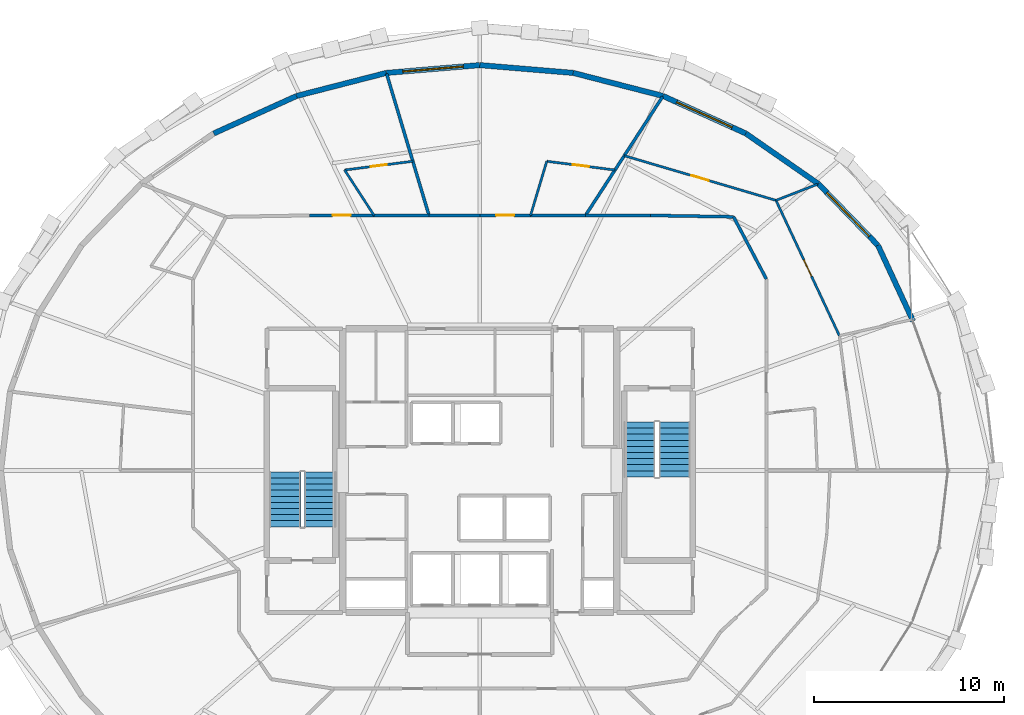
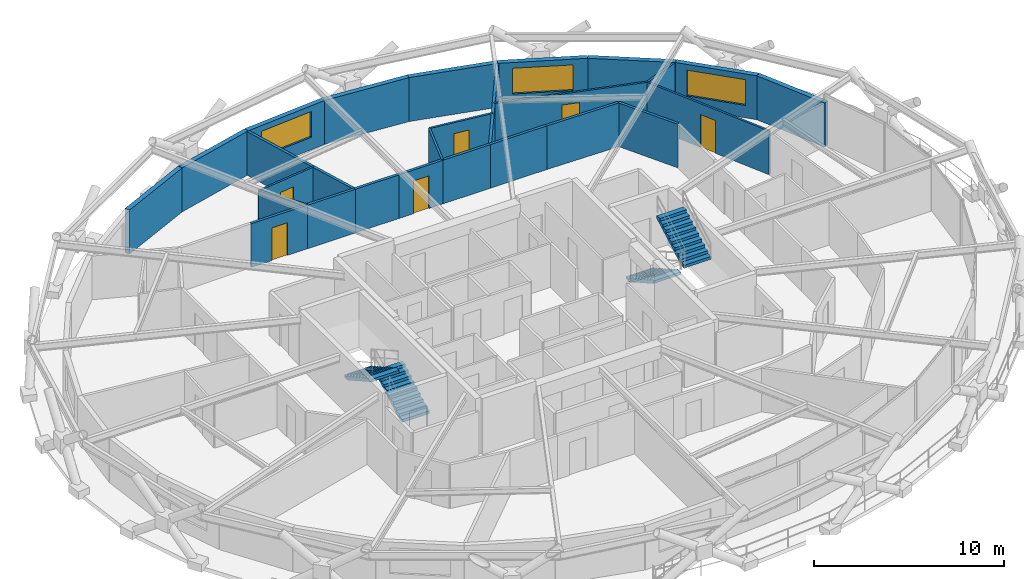
# One storey, part 15 of 16: 26 walls, 6 doors, 4 stair flights, 3 windows, 9 openings, 2 elements without a shape of their own.
"""IFC4 building model written with IfcOpenShell, lengths in metres."""

from ifc_helpers import new_model, si_unit, direction, frame, frame_2d, origin, place, context, subcontext, project, spatial, polyline, rectangle, outline, extrude, material, layer, layer_set, type_object, element, fill, aggregate, save


model = new_model("IFC4")

# Units and contexts
model_context = context("Model", 3, precision=1e-05, world=origin(), true_north=direction((0.0, 1.0)))
body_context = subcontext(model_context, "Body", "Model", "MODEL_VIEW")
ifc_project = project(units=[si_unit("LENGTHUNIT", "METRE"), si_unit("AREAUNIT", "SQUARE_METRE"), si_unit("VOLUMEUNIT", "CUBIC_METRE"), si_unit("PLANEANGLEUNIT", "RADIAN"), si_unit("MASSUNIT", "GRAM", prefix="KILO")], contexts=[model_context])

# Site, building, storey
site_placement = place(None, origin())
site = spatial("IfcSite", under=ifc_project, at=site_placement, CompositionType="ELEMENT")
building_placement = place(site_placement, origin())
building = spatial("IfcBuilding", under=site, at=building_placement, Name="Veldorina Hangang Commons", CompositionType="ELEMENT")
storey_placement = place(building_placement, frame((0.0, 0.0, 189.199951171875)))
storey = spatial("IfcBuildingStorey", under=building, at=storey_placement, Name="L49", CompositionType="ELEMENT", Elevation=189.199951171875)

# Wall
ifc_material_1 = material(Name="Stone Roman Travertine", Category="masonry")
ifc_layer_1 = layer(ifc_material_1, 0.280029296875)
ifc_layer_set_1 = layer_set([ifc_layer_1], Name="Stone Roman Travertine")
wall_type_1 = type_object("IfcWallType", Name="EW-TRAV-280", PredefinedType="STANDARD", material=ifc_layer_set_1)
wall_1_placement = place(storey_placement, frame((54.75146484375, 31.85009765625, 0.0), z_axis=(0.0, 0.0, 1.0), x_axis=(-0.420677836113, 0.907210095955, 0.0)))
element("IfcWall", 1, at=wall_1_placement, inside=storey, type_object=wall_type_1, Name="L49 travertine facade wall 02", PredefinedType="STANDARD", context=body_context, shape_type="SweptSolid", body=[
    extrude(rectangle(XDim=4.3857421875, YDim=0.280029296875, at=frame_2d((2.19287109375, 0.0))), origin(), (0.0, 0.0, 1.0), 2.820068359375),
])

# Wall, opening, window
wall_2_placement = place(storey_placement, frame((52.906494140625, 35.828857421875, 0.0), z_axis=(0.0, 0.0, 1.0), x_axis=(-0.695935353848, 0.718104437575, 0.0)))
wall_2 = element("IfcWall", 2, at=wall_2_placement, inside=storey, type_object=wall_type_1, Name="L49 travertine facade wall 03", PredefinedType="STANDARD", context=body_context, shape_type="SweptSolid", body=[
    extrude(rectangle(XDim=4.4931640625, YDim=0.280029296875, at=frame_2d((2.24658203125, 0.0))), origin(), (0.0, 0.0, 1.0), 2.820068359375),
])
opening_1_placement = place(wall_2_placement, frame((0.646484375, 0.0, 0.800048828125)))
opening_1 = element("IfcOpeningElement", 3, at=opening_1_placement, cuts=wall_2, Name="Opening W-01", PredefinedType="OPENING", context=body_context, shape_type="SweptSolid", body=[
    extrude(rectangle(XDim=3.199951171875, YDim=1.64990234375, at=frame_2d((1.60009765625, 0.824951171875))), frame((0.0, 0.14990234375, 0.0), z_axis=(0.0, -1.0, 0.0), x_axis=(1.0, 0.0, 0.0)), (0.0, 0.0, 1.0), 0.300048828125),
])
ifc_material_2 = material(Name="Glass Low-E Triple IGU", Category="glass")
window_type = type_object("IfcWindowType", Name="WIN-TWR-3200", PartitioningType="SINGLE_PANEL", PredefinedType="WINDOW", material=ifc_material_2)
window_1_placement = place(opening_1_placement, origin())
window_1 = element("IfcWindow", 4, at=window_1_placement, inside=storey, type_object=window_type, Name="L49 facade window 03", OverallHeight=1.64990234375, OverallWidth=3.199951171875, PartitioningType="SINGLE_PANEL", PredefinedType="WINDOW", context=body_context, shape_type="SweptSolid", body=[
    extrude(rectangle(XDim=3.199951171875, YDim=1.64990234375, at=frame_2d((1.60009765625, 0.824951171875))), frame((0.0, 0.030029296875, 0.0), z_axis=(0.0, -1.0, 0.0), x_axis=(1.0, 0.0, 0.0)), (0.0, 0.0, 1.0), 0.06005859375),
])
fill(opening_1, window_1)

# Wall
wall_3_placement = place(storey_placement, frame((49.779541015625, 39.055419921875, 0.0), z_axis=(0.0, 0.0, 1.0), x_axis=(-0.821202162047, 0.570637370885, 0.0)))
element("IfcWall", 5, at=wall_3_placement, inside=storey, type_object=wall_type_1, Name="L49 travertine facade wall 04", PredefinedType="STANDARD", context=body_context, shape_type="SweptSolid", body=[
    extrude(rectangle(XDim=4.639892578125, YDim=0.280029296875, at=frame_2d((2.31982421875, 0.0))), origin(), (0.0, 0.0, 1.0), 2.820068359375),
])

# Wall, opening, window
wall_4_placement = place(storey_placement, frame((45.96923828125, 41.703125, 0.0), z_axis=(0.0, 0.0, 1.0), x_axis=(-0.911004961114, 0.412395393798, 0.0)))
wall_4 = element("IfcWall", 6, at=wall_4_placement, inside=storey, type_object=wall_type_1, Name="L49 travertine facade wall 05", PredefinedType="STANDARD", context=body_context, shape_type="SweptSolid", body=[
    extrude(rectangle(XDim=4.771484375, YDim=0.280029296875, at=frame_2d((2.3857421875, 0.0))), origin(), (0.0, 0.0, 1.0), 2.820068359375),
])
opening_2_placement = place(wall_4_placement, frame((0.785888671875, 0.0, 0.800048828125)))
opening_2 = element("IfcOpeningElement", 7, at=opening_2_placement, cuts=wall_4, Name="Opening W-01", PredefinedType="OPENING", context=body_context, shape_type="SweptSolid", body=[
    extrude(rectangle(XDim=3.199951171875, YDim=1.64990234375, at=frame_2d((1.60009765625, 0.824951171875))), frame((0.0, 0.14990234375, 0.0), z_axis=(0.0, -1.0, 0.0), x_axis=(1.0, 0.0, 0.0)), (0.0, 0.0, 1.0), 0.300048828125),
])
window_2_placement = place(opening_2_placement, origin())
window_2 = element("IfcWindow", 8, at=window_2_placement, inside=storey, type_object=window_type, Name="L49 facade window 05", OverallHeight=1.64990234375, OverallWidth=3.199951171875, PartitioningType="SINGLE_PANEL", PredefinedType="WINDOW", context=body_context, shape_type="SweptSolid", body=[
    extrude(rectangle(XDim=3.199951171875, YDim=1.64990234375, at=frame_2d((1.60009765625, 0.824951171875))), frame((0.0, 0.030029296875, 0.0), z_axis=(0.0, -1.0, 0.0), x_axis=(1.0, 0.0, 0.0)), (0.0, 0.0, 1.0), 0.06005859375),
])
fill(opening_2, window_2)

# Walls
wall_5_placement = place(storey_placement, frame((41.622314453125, 43.6708984375, 0.0), z_axis=(0.0, 0.0, 1.0), x_axis=(-0.968565442011, 0.248758888367, 0.0)))
element("IfcWall", 9, at=wall_5_placement, inside=storey, type_object=wall_type_1, Name="L49 travertine facade wall 06", PredefinedType="STANDARD", context=body_context, shape_type="SweptSolid", body=[
    extrude(rectangle(XDim=4.869873046875, YDim=0.280029296875, at=frame_2d((2.43505859375, 0.0))), origin(), (0.0, 0.0, 1.0), 2.820068359375),
])
wall_6_placement = place(storey_placement, frame((36.905517578125, 44.88232421875, 0.0), z_axis=(0.0, 0.0, 1.0), x_axis=(-0.996539256363, 0.083123465568, 0.0)))
element("IfcWall", 10, at=wall_6_placement, inside=storey, type_object=wall_type_1, Name="L49 travertine facade wall 07", PredefinedType="STANDARD", context=body_context, shape_type="SweptSolid", body=[
    extrude(rectangle(XDim=4.922607421875, YDim=0.280029296875, at=frame_2d((2.46142578125, 0.0))), origin(), (0.0, 0.0, 1.0), 2.820068359375),
])

# Wall, opening, window
wall_7_placement = place(storey_placement, frame((32.0, 45.29150390625, 0.0), z_axis=(0.0, 0.0, 1.0), x_axis=(-0.996539256363, -0.083123465568, 0.0)))
wall_7 = element("IfcWall", 11, at=wall_7_placement, inside=storey, type_object=wall_type_1, Name="L49 travertine facade wall 08", PredefinedType="STANDARD", context=body_context, shape_type="SweptSolid", body=[
    extrude(rectangle(XDim=4.922607421875, YDim=0.280029296875, at=frame_2d((2.46142578125, 0.0))), origin(), (0.0, 0.0, 1.0), 2.820068359375),
])
opening_3_placement = place(wall_7_placement, frame((0.861083984375, 0.0, 0.800048828125)))
opening_3 = element("IfcOpeningElement", 12, at=opening_3_placement, cuts=wall_7, Name="Opening W-01", PredefinedType="OPENING", context=body_context, shape_type="SweptSolid", body=[
    extrude(rectangle(XDim=3.199951171875, YDim=1.64990234375, at=frame_2d((1.60009765625, 0.824951171875))), frame((0.0, 0.14990234375, 0.0), z_axis=(0.0, -1.0, 0.0), x_axis=(1.0, 0.0, 0.0)), (0.0, 0.0, 1.0), 0.300048828125),
])
window_3_placement = place(opening_3_placement, origin())
window_3 = element("IfcWindow", 13, at=window_3_placement, inside=storey, type_object=window_type, Name="L49 facade window 08", OverallHeight=1.64990234375, OverallWidth=3.199951171875, PartitioningType="SINGLE_PANEL", PredefinedType="WINDOW", context=body_context, shape_type="SweptSolid", body=[
    extrude(rectangle(XDim=3.199951171875, YDim=1.64990234375, at=frame_2d((1.60009765625, 0.824951171875))), frame((0.0, 0.030029296875, 0.0), z_axis=(0.0, -1.0, 0.0), x_axis=(1.0, 0.0, 0.0)), (0.0, 0.0, 1.0), 0.06005859375),
])
fill(opening_3, window_3)

# Walls
wall_8_placement = place(storey_placement, frame((27.094482421875, 44.88232421875, 0.0), z_axis=(0.0, 0.0, 1.0), x_axis=(-0.968565442011, -0.248758888367, 0.0)))
element("IfcWall", 14, at=wall_8_placement, inside=storey, type_object=wall_type_1, Name="L49 travertine facade wall 09", PredefinedType="STANDARD", context=body_context, shape_type="SweptSolid", body=[
    extrude(rectangle(XDim=4.869873046875, YDim=0.280029296875, at=frame_2d((2.43505859375, 0.0))), origin(), (0.0, 0.0, 1.0), 2.820068359375),
])
wall_9_placement = place(storey_placement, frame((22.377685546875, 43.6708984375, 0.0), z_axis=(0.0, 0.0, 1.0), x_axis=(-0.911004961114, -0.412395393798, 0.0)))
element("IfcWall", 15, at=wall_9_placement, inside=storey, type_object=wall_type_1, Name="L49 travertine facade wall 10", PredefinedType="STANDARD", context=body_context, shape_type="SweptSolid", body=[
    extrude(rectangle(XDim=4.771484375, YDim=0.280029296875, at=frame_2d((2.3857421875, 0.0))), origin(), (0.0, 0.0, 1.0), 2.820068359375),
])
ifc_material_3 = material(Name="Gypsum Fire-Rated Twin Stud Wall", Category="gypsum")
ifc_layer_2 = layer(ifc_material_3, 0.159912109375)
ifc_layer_set_2 = layer_set([ifc_layer_2], Name="Gypsum Fire-Rated Twin Stud Wall")
wall_type_2 = type_object("IfcWallType", Name="WL-FIRE-160", PredefinedType="SOLIDWALL", material=ifc_layer_set_2)
wall_10_placement = place(storey_placement, frame((47.050048828125, 34.05615234375, 0.0), z_axis=(0.0, 0.0, 1.0), x_axis=(-0.466737093093, 0.884396113702, 0.0)))
element("IfcWall", 16, at=wall_10_placement, inside=storey, type_object=wall_type_2, Name="L49 U-corridor outer wall 03 051", PredefinedType="SOLIDWALL", context=body_context, shape_type="SweptSolid", body=[
    extrude(rectangle(XDim=3.696044921875, YDim=0.159912109375, at=frame_2d((1.84814453125, 0.0))), origin(), (0.0, 0.0, 1.0), 2.800048828125),
])
wall_11_placement = place(storey_placement, frame((45.324951171875, 37.324951171875, 0.0), z_axis=(0.0, 0.0, 1.0), x_axis=(-0.999853038912, 0.017143528788, 0.0)))
element("IfcWall", 17, at=wall_11_placement, inside=storey, type_object=wall_type_2, Name="L49 U-corridor outer wall 04 052", PredefinedType="SOLIDWALL", context=body_context, shape_type="SweptSolid", body=[
    extrude(rectangle(XDim=4.3720703125, YDim=0.159912109375, at=frame_2d((2.18603515625, 0.0))), origin(), (0.0, 0.0, 1.0), 2.800048828125),
])
wall_12_placement = place(storey_placement, frame((40.95361328125, 37.39990234375, 0.0), z_axis=(0.0, 0.0, 1.0), x_axis=(-1.0, 0.0, 0.0)))
element("IfcWall", 18, at=wall_12_placement, inside=storey, type_object=wall_type_2, Name="L49 U-corridor outer wall 05 053", PredefinedType="SOLIDWALL", context=body_context, shape_type="SweptSolid", body=[
    extrude(rectangle(XDim=3.403076171875, YDim=0.159912109375, at=frame_2d((1.70166015625, 0.0))), origin(), (0.0, 0.0, 1.0), 2.800048828125),
])
wall_13_placement = place(storey_placement, frame((37.550537109375, 37.39990234375, 0.0), z_axis=(0.0, 0.0, 1.0), x_axis=(-1.0, 0.0, 0.0)))
element("IfcWall", 19, at=wall_13_placement, inside=storey, type_object=wall_type_2, Name="L49 U-corridor outer wall 06 054", PredefinedType="SOLIDWALL", context=body_context, shape_type="SweptSolid", body=[
    extrude(rectangle(XDim=2.88525390625, YDim=0.159912109375, at=frame_2d((1.442626953125, 0.0))), origin(), (0.0, 0.0, 1.0), 2.800048828125),
])

# Wall, opening, door
wall_14_placement = place(storey_placement, frame((34.665283203125, 37.39990234375, 0.0), z_axis=(0.0, 0.0, 1.0), x_axis=(-1.0, 0.0, 0.0)))
wall_14 = element("IfcWall", 20, at=wall_14_placement, inside=storey, type_object=wall_type_2, Name="L49 U-corridor outer wall 07 055", PredefinedType="SOLIDWALL", context=body_context, shape_type="SweptSolid", body=[
    extrude(rectangle(XDim=2.665283203125, YDim=0.159912109375, at=frame_2d((1.33251953125, 0.0))), origin(), (0.0, 0.0, 1.0), 2.800048828125),
])
opening_4_placement = place(wall_14_placement, frame((0.857666015625, 0.0, 0.0)))
opening_4 = element("IfcOpeningElement", 21, at=opening_4_placement, cuts=wall_14, Name="Opening D-03", PredefinedType="OPENING", context=body_context, shape_type="SweptSolid", body=[
    extrude(rectangle(XDim=0.949951171875, YDim=2.10009765625, at=frame_2d((0.47509765625, 1.050048828125))), frame((0.0, 0.08984375, 0.0), z_axis=(0.0, -1.0, 0.0), x_axis=(1.0, 0.0, 0.0)), (0.0, 0.0, 1.0), 0.179931640625),
])
ifc_material_4 = material(Name="Timber Fire-Rated Entrance Core", Category="wood")
door_type_1 = type_object("IfcDoorType", Name="DR-UNIT-950", OperationType="SINGLE_SWING_RIGHT", PredefinedType="DOOR", material=ifc_material_4)
door_1_placement = place(opening_4_placement, origin())
door_1 = element("IfcDoor", 22, at=door_1_placement, inside=storey, type_object=door_type_1, Name="L49 Studio 3 entrance door 028", OperationType="SINGLE_SWING_RIGHT", OverallHeight=2.10009765625, OverallWidth=0.949951171875, PredefinedType="DOOR", context=body_context, shape_type="SweptSolid", body=[
    extrude(rectangle(XDim=0.949951171875, YDim=2.10009765625, at=frame_2d((0.47509765625, 1.050048828125))), frame((0.0, 0.02490234375, 0.0), z_axis=(0.0, -1.0, 0.0), x_axis=(1.0, 0.0, 0.0)), (0.0, 0.0, 1.0), 0.050048828125),
])
fill(opening_4, door_1)

# Walls
wall_15_placement = place(storey_placement, frame((32.0, 37.39990234375, 0.0), z_axis=(0.0, 0.0, 1.0), x_axis=(-1.0, 0.0, 0.0)))
element("IfcWall", 23, at=wall_15_placement, inside=storey, type_object=wall_type_2, Name="L49 U-corridor outer wall 08 056", PredefinedType="SOLIDWALL", context=body_context, shape_type="SweptSolid", body=[
    extrude(rectangle(XDim=2.665283203125, YDim=0.159912109375, at=frame_2d((1.33251953125, 0.0))), origin(), (0.0, 0.0, 1.0), 2.800048828125),
])
wall_16_placement = place(storey_placement, frame((29.334716796875, 37.39990234375, 0.0), z_axis=(0.0, 0.0, 1.0), x_axis=(-1.0, 0.0, 0.0)))
element("IfcWall", 24, at=wall_16_placement, inside=storey, type_object=wall_type_2, Name="L49 U-corridor outer wall 09 057", PredefinedType="SOLIDWALL", context=body_context, shape_type="SweptSolid", body=[
    extrude(rectangle(XDim=2.88525390625, YDim=0.159912109375, at=frame_2d((1.442626953125, 0.0))), origin(), (0.0, 0.0, 1.0), 2.800048828125),
])

# Wall, opening, door
wall_17_placement = place(storey_placement, frame((26.449462890625, 37.39990234375, 0.0), z_axis=(0.0, 0.0, 1.0), x_axis=(-1.0, 0.0, 0.0)))
wall_17 = element("IfcWall", 25, at=wall_17_placement, inside=storey, type_object=wall_type_2, Name="L49 U-corridor outer wall 10 058", PredefinedType="SOLIDWALL", context=body_context, shape_type="SweptSolid", body=[
    extrude(rectangle(XDim=3.403076171875, YDim=0.159912109375, at=frame_2d((1.70166015625, 0.0))), origin(), (0.0, 0.0, 1.0), 2.800048828125),
])
opening_5_placement = place(wall_17_placement, frame((1.2265625, 0.0, 0.0)))
opening_5 = element("IfcOpeningElement", 26, at=opening_5_placement, cuts=wall_17, Name="Opening D-03", PredefinedType="OPENING", context=body_context, shape_type="SweptSolid", body=[
    extrude(rectangle(XDim=0.949951171875, YDim=2.10009765625, at=frame_2d((0.47509765625, 1.050048828125))), frame((0.0, 0.08984375, 0.0), z_axis=(0.0, -1.0, 0.0), x_axis=(1.0, 0.0, 0.0)), (0.0, 0.0, 1.0), 0.179931640625),
])
door_2_placement = place(opening_5_placement, origin())
door_2 = element("IfcDoor", 27, at=door_2_placement, inside=storey, type_object=door_type_1, Name="L49 Studio 4 entrance door 030", OperationType="SINGLE_SWING_RIGHT", OverallHeight=2.10009765625, OverallWidth=0.949951171875, PredefinedType="DOOR", context=body_context, shape_type="SweptSolid", body=[
    extrude(rectangle(XDim=0.949951171875, YDim=2.10009765625, at=frame_2d((0.47509765625, 1.050048828125))), frame((0.0, 0.02490234375, 0.0), z_axis=(0.0, -1.0, 0.0), x_axis=(1.0, 0.0, 0.0)), (0.0, 0.0, 1.0), 0.050048828125),
])
fill(opening_5, door_2)

# Walls
wall_18_placement = place(storey_placement, frame((37.550537109375, 37.39990234375, 0.0), z_axis=(0.0, 0.0, 1.0), x_axis=(0.544570007342, 0.838715391002, 0.0)))
element("IfcWall", 28, at=wall_18_placement, inside=storey, type_object=wall_type_2, Name="L49 Unit party wall 06 094", PredefinedType="SOLIDWALL", context=body_context, shape_type="SweptSolid", body=[
    extrude(rectangle(XDim=7.4267578125, YDim=0.159912109375, at=frame_2d((3.71337890625, 0.0))), origin(), (0.0, 0.0, 1.0), 2.800048828125),
])
wall_19_placement = place(storey_placement, frame((29.334716796875, 37.39990234375, 0.0), z_axis=(0.0, 0.0, 1.0), x_axis=(-0.286811018415, 0.957987181394, 0.0)))
element("IfcWall", 29, at=wall_19_placement, inside=storey, type_object=wall_type_2, Name="L49 Unit party wall 09 097", PredefinedType="SOLIDWALL", context=body_context, shape_type="SweptSolid", body=[
    extrude(rectangle(XDim=7.760498046875, YDim=0.159912109375, at=frame_2d((3.88037109375, 0.0))), origin(), (0.0, 0.0, 1.0), 2.800048828125),
])

# Wall, opening, door
ifc_material_5 = material(Name="Gypsum Acoustic Stud Partition", Category="gypsum")
ifc_layer_3 = layer(ifc_material_5, 0.1201171875)
ifc_layer_set_3 = layer_set([ifc_layer_3], Name="Gypsum Acoustic Stud Partition")
wall_type_3 = type_object("IfcWallType", Name="WL-PART-120", PredefinedType="PARTITIONING", material=ifc_layer_set_3)
wall_20_placement = place(storey_placement, frame((50.88134765625, 31.083740234375, 0.0), z_axis=(0.0, 0.0, 1.0), x_axis=(-0.424220251882, 0.905559041638, 0.0)))
wall_20 = element("IfcWall", 30, at=wall_20_placement, inside=storey, type_object=wall_type_3, Name="L49 Cluster 2 bed 2 front wall 090", PredefinedType="PARTITIONING", context=body_context, shape_type="SweptSolid", body=[
    extrude(rectangle(XDim=7.84765625, YDim=0.1201171875, at=frame_2d((3.923828125, 0.0))), origin(), (0.0, 0.0, 1.0), 2.800048828125),
])
opening_6_placement = place(wall_20_placement, frame((3.44873046875, 0.0, 0.0)))
opening_6 = element("IfcOpeningElement", 31, at=opening_6_placement, cuts=wall_20, Name="Opening D-02", PredefinedType="OPENING", context=body_context, shape_type="SweptSolid", body=[
    extrude(rectangle(XDim=0.949951171875, YDim=2.10009765625, at=frame_2d((0.47509765625, 1.050048828125))), frame((0.0, 0.070068359375, 0.0), z_axis=(0.0, -1.0, 0.0), x_axis=(1.0, 0.0, 0.0)), (0.0, 0.0, 1.0), 0.14013671875),
])
ifc_material_6 = material(Name="Timber Solid Core Acoustic", Category="wood")
door_type_2 = type_object("IfcDoorType", Name="DR-INT-950", OperationType="SINGLE_SWING_LEFT", PredefinedType="DOOR", material=ifc_material_6)
door_3_placement = place(opening_6_placement, origin())
door_3 = element("IfcDoor", 32, at=door_3_placement, inside=storey, type_object=door_type_2, Name="L49 Cluster 2 bed 2 door 025", OperationType="SINGLE_SWING_LEFT", OverallHeight=2.10009765625, OverallWidth=0.949951171875, PredefinedType="DOOR", context=body_context, shape_type="SweptSolid", body=[
    extrude(rectangle(XDim=0.949951171875, YDim=2.10009765625, at=frame_2d((0.47509765625, 1.050048828125))), frame((0.0, 0.02490234375, 0.0), z_axis=(0.0, -1.0, 0.0), x_axis=(1.0, 0.0, 0.0)), (0.0, 0.0, 1.0), 0.050048828125),
])
fill(opening_6, door_3)

wall_21_placement = place(storey_placement, frame((47.55224609375, 38.190185546875, 0.0), z_axis=(0.0, 0.0, 1.0), x_axis=(-0.959291969072, 0.282416214254, 0.0)))
wall_21 = element("IfcWall", 33, at=wall_21_placement, inside=storey, type_object=wall_type_3, Name="L49 Cluster 2 bed 3 front wall 092", PredefinedType="PARTITIONING", context=body_context, shape_type="SweptSolid", body=[
    extrude(rectangle(XDim=8.30419921875, YDim=0.1201171875, at=frame_2d((4.152099609375, 0.0))), origin(), (0.0, 0.0, 1.0), 2.800048828125),
])
opening_7_placement = place(wall_21_placement, frame((3.677001953125, 0.0, 0.0)))
opening_7 = element("IfcOpeningElement", 34, at=opening_7_placement, cuts=wall_21, Name="Opening D-02", PredefinedType="OPENING", context=body_context, shape_type="SweptSolid", body=[
    extrude(rectangle(XDim=0.949951171875, YDim=2.10009765625, at=frame_2d((0.47509765625, 1.050048828125))), frame((0.0, 0.070068359375, 0.0), z_axis=(0.0, -1.0, 0.0), x_axis=(1.0, 0.0, 0.0)), (0.0, 0.0, 1.0), 0.14013671875),
])
door_4_placement = place(opening_7_placement, origin())
door_4 = element("IfcDoor", 35, at=door_4_placement, inside=storey, type_object=door_type_2, Name="L49 Cluster 2 bed 3 door 026", OperationType="SINGLE_SWING_RIGHT", OverallHeight=2.10009765625, OverallWidth=0.949951171875, PredefinedType="DOOR", context=body_context, shape_type="SweptSolid", body=[
    extrude(rectangle(XDim=0.949951171875, YDim=2.10009765625, at=frame_2d((0.47509765625, 1.050048828125))), frame((0.0, 0.02490234375, 0.0), z_axis=(0.0, -1.0, 0.0), x_axis=(1.0, 0.0, 0.0)), (0.0, 0.0, 1.0), 0.050048828125),
])
fill(opening_7, door_4)

# Wall
wall_22_placement = place(storey_placement, frame((47.55224609375, 38.190185546875, 0.0), z_axis=(0.0, 0.0, 1.0), x_axis=(0.932129957901, 0.362123931249, 0.0)))
element("IfcWall", 36, at=wall_22_placement, inside=storey, type_object=wall_type_3, Name="L49 Cluster 2 bed divider 2 093", PredefinedType="PARTITIONING", context=body_context, shape_type="SweptSolid", body=[
    extrude(rectangle(XDim=2.33935546875, YDim=0.1201171875, at=frame_2d((1.169677734375, 0.0))), origin(), (0.0, 0.0, 1.0), 2.800048828125),
])

# Wall, opening, door
wall_23_placement = place(storey_placement, frame((39.09765625, 39.782958984375, 0.0), z_axis=(0.0, 0.0, 1.0), x_axis=(-0.991834797851, 0.127529344747, 0.0)))
wall_23 = element("IfcWall", 37, at=wall_23_placement, inside=storey, type_object=wall_type_3, Name="L49 Studio 3 bath front wall 095", PredefinedType="PARTITIONING", context=body_context, shape_type="SweptSolid", body=[
    extrude(rectangle(XDim=3.610595703125, YDim=0.1201171875, at=frame_2d((1.80517578125, 0.0))), origin(), (0.0, 0.0, 1.0), 2.800048828125),
])
opening_8_placement = place(wall_23_placement, frame((1.375244140625, 0.0, 0.0)))
opening_8 = element("IfcOpeningElement", 38, at=opening_8_placement, cuts=wall_23, Name="Opening D-01", PredefinedType="OPENING", context=body_context, shape_type="SweptSolid", body=[
    extrude(rectangle(XDim=0.860107421875, YDim=2.10009765625, at=frame_2d((0.43017578125, 1.050048828125))), frame((0.0, 0.070068359375, 0.0), z_axis=(0.0, -1.0, 0.0), x_axis=(1.0, 0.0, 0.0)), (0.0, 0.0, 1.0), 0.14013671875),
])
ifc_material_7 = material(Name="Timber Moisture-Resistant Core", Category="wood")
door_type_3 = type_object("IfcDoorType", Name="DR-WET-860", OperationType="SINGLE_SWING_LEFT", PredefinedType="DOOR", material=ifc_material_7)
door_5_placement = place(opening_8_placement, origin())
door_5 = element("IfcDoor", 39, at=door_5_placement, inside=storey, type_object=door_type_3, Name="L49 Studio 3 bathroom door 027", OperationType="SINGLE_SWING_LEFT", OverallHeight=2.10009765625, OverallWidth=0.860107421875, PredefinedType="DOOR", context=body_context, shape_type="SweptSolid", body=[
    extrude(rectangle(XDim=0.860107421875, YDim=2.10009765625, at=frame_2d((0.43017578125, 1.050048828125))), frame((0.0, 0.02490234375, 0.0), z_axis=(0.0, -1.0, 0.0), x_axis=(1.0, 0.0, 0.0)), (0.0, 0.0, 1.0), 0.050048828125),
])
fill(opening_8, door_5)

# Wall
wall_24_placement = place(storey_placement, frame((34.665283203125, 37.39990234375, 0.0), z_axis=(0.0, 0.0, 1.0), x_axis=(0.286812071923, 0.957986865985, 0.0)))
element("IfcWall", 40, at=wall_24_placement, inside=storey, type_object=wall_type_3, Name="L49 Studio 3 bath side wall 096", PredefinedType="PARTITIONING", context=body_context, shape_type="SweptSolid", body=[
    extrude(rectangle(XDim=2.96826171875, YDim=0.1201171875, at=frame_2d((1.484130859375, 0.0))), origin(), (0.0, 0.0, 1.0), 2.800048828125),
])

# Wall, opening, door
wall_25_placement = place(storey_placement, frame((28.4833984375, 40.243408203125, 0.0), z_axis=(0.0, 0.0, 1.0), x_axis=(-0.991834797851, -0.127529344747, 0.0)))
wall_25 = element("IfcWall", 41, at=wall_25_placement, inside=storey, type_object=wall_type_3, Name="L49 Studio 4 bath front wall 098", PredefinedType="PARTITIONING", context=body_context, shape_type="SweptSolid", body=[
    extrude(rectangle(XDim=3.610595703125, YDim=0.1201171875, at=frame_2d((1.80517578125, 0.0))), origin(), (0.0, 0.0, 1.0), 2.800048828125),
])
opening_9_placement = place(wall_25_placement, frame((1.375244140625, 0.0, 0.0)))
opening_9 = element("IfcOpeningElement", 42, at=opening_9_placement, cuts=wall_25, Name="Opening D-01", PredefinedType="OPENING", context=body_context, shape_type="SweptSolid", body=[
    extrude(rectangle(XDim=0.860107421875, YDim=2.10009765625, at=frame_2d((0.43017578125, 1.050048828125))), frame((0.0, 0.070068359375, 0.0), z_axis=(0.0, -1.0, 0.0), x_axis=(1.0, 0.0, 0.0)), (0.0, 0.0, 1.0), 0.14013671875),
])
door_6_placement = place(opening_9_placement, origin())
door_6 = element("IfcDoor", 43, at=door_6_placement, inside=storey, type_object=door_type_3, Name="L49 Studio 4 bathroom door 029", OperationType="SINGLE_SWING_LEFT", OverallHeight=2.10009765625, OverallWidth=0.860107421875, PredefinedType="DOOR", context=body_context, shape_type="SweptSolid", body=[
    extrude(rectangle(XDim=0.860107421875, YDim=2.10009765625, at=frame_2d((0.43017578125, 1.050048828125))), frame((0.0, 0.02490234375, 0.0), z_axis=(0.0, -1.0, 0.0), x_axis=(1.0, 0.0, 0.0)), (0.0, 0.0, 1.0), 0.050048828125),
])
fill(opening_9, door_6)

# Wall
wall_26_placement = place(storey_placement, frame((26.449462890625, 37.39990234375, 0.0), z_axis=(0.0, 0.0, 1.0), x_axis=(-0.544526159061, 0.838743859649, 0.0)))
element("IfcWall", 44, at=wall_26_placement, inside=storey, type_object=wall_type_3, Name="L49 Studio 4 bath side wall 099", PredefinedType="PARTITIONING", context=body_context, shape_type="SweptSolid", body=[
    extrude(rectangle(XDim=2.84130859375, YDim=0.1201171875, at=frame_2d((1.420654296875, 0.0))), origin(), (0.0, 0.0, 1.0), 2.800048828125),
])

# Stair, stair flights
ifc_material_8 = material(Name="Concrete C40/50", Category="concrete")
stair_type = type_object("IfcStairType", Name="STR-DOG-1650-20R", PredefinedType="HALF_TURN_STAIR", material=ifc_material_8)
stair_1_placement = place(storey_placement, origin())
stair_1 = element("IfcStair", 45, at=stair_1_placement, inside=storey, type_object=stair_type, Name="L49 Exit stair ST-1", PredefinedType="HALF_TURN_STAIR")
stair_flight_type = type_object("IfcStairFlightType", Name="SFL-STR-1650-20R", PredefinedType="STRAIGHT", material=ifc_material_8)
stair_flight_1_placement = place(storey_placement, frame((23.625, 21.050048828125, 0.0), z_axis=(0.0, 0.0, 1.0), x_axis=(0.0, 1.0, 0.0)))
stair_flight_1 = element("IfcStairFlight", 46, at=stair_flight_1_placement, type_object=stair_flight_type, Name="ST-1 flight 1", NumberOfRisers=10, NumberOfTreads=9, PredefinedType="STRAIGHT", RiserHeight=0.18, TreadLength=0.32, context=body_context, shape_type="SweptSolid", body=[
    extrude(outline(polyline([(0.0, 0.0), (0.0, 0.179931640625), (0.320068359375, 0.179931640625), (0.320068359375, 0.360107421875), (0.639892578125, 0.360107421875), (0.639892578125, 0.5400390625), (0.9599609375, 0.5400390625), (0.9599609375, 0.719970703125), (1.280029296875, 0.719970703125), (1.280029296875, 0.89990234375), (1.60009765625, 0.89990234375), (1.60009765625, 1.080078125), (1.919921875, 1.080078125), (1.919921875, 1.260009765625), (2.239990234375, 1.260009765625), (2.239990234375, 1.43994140625), (2.56005859375, 1.43994140625), (2.56005859375, 1.6201171875), (2.8798828125, 1.6201171875), (2.8798828125, 1.800048828125), (2.8798828125, 1.447998046875), (0.3056640625, 0.0), (0.0, 0.0)])), frame((0.0, 0.824951171875, 0.0), z_axis=(0.0, -1.0, 0.0), x_axis=(1.0, 0.0, 0.0)), (0.0, 0.0, 1.0), 1.64990234375),
])
stair_flight_2_placement = place(storey_placement, frame((21.77490234375, 23.929931640625, 1.800048828125), z_axis=(0.0, 0.0, 1.0), x_axis=(0.0, -1.0, 0.0)))
stair_flight_2 = element("IfcStairFlight", 47, at=stair_flight_2_placement, type_object=stair_flight_type, Name="ST-1 flight 2", NumberOfRisers=10, NumberOfTreads=9, PredefinedType="STRAIGHT", RiserHeight=0.18, TreadLength=0.32, context=body_context, shape_type="SweptSolid", body=[
    extrude(outline(polyline([(0.0, 0.0), (0.0, 0.179931640625), (0.320068359375, 0.179931640625), (0.320068359375, 0.360107421875), (0.639892578125, 0.360107421875), (0.639892578125, 0.5400390625), (0.9599609375, 0.5400390625), (0.9599609375, 0.719970703125), (1.280029296875, 0.719970703125), (1.280029296875, 0.89990234375), (1.60009765625, 0.89990234375), (1.60009765625, 1.080078125), (1.919921875, 1.080078125), (1.919921875, 1.260009765625), (2.239990234375, 1.260009765625), (2.239990234375, 1.43994140625), (2.56005859375, 1.43994140625), (2.56005859375, 1.6201171875), (2.8798828125, 1.6201171875), (2.8798828125, 1.800048828125), (2.8798828125, 1.447998046875), (0.3056640625, 0.0), (0.0, 0.0)])), frame((0.0, 0.824951171875, 0.0), z_axis=(0.0, -1.0, 0.0), x_axis=(1.0, 0.0, 0.0)), (0.0, 0.0, 1.0), 1.64990234375),
])
aggregate(stair_1, [stair_flight_1, stair_flight_2])

stair_2_placement = place(storey_placement, origin())
stair_2 = element("IfcStair", 48, at=stair_2_placement, inside=storey, type_object=stair_type, Name="L49 Exit stair ST-2", PredefinedType="HALF_TURN_STAIR")
stair_flight_3_placement = place(storey_placement, frame((40.375, 26.550048828125, 0.0), z_axis=(0.0, 0.0, 1.0), x_axis=(0.0, -1.0, 0.0)))
stair_flight_3 = element("IfcStairFlight", 49, at=stair_flight_3_placement, type_object=stair_flight_type, Name="ST-2 flight 1", NumberOfRisers=10, NumberOfTreads=9, PredefinedType="STRAIGHT", RiserHeight=0.18, TreadLength=0.32, context=body_context, shape_type="SweptSolid", body=[
    extrude(outline(polyline([(0.0, 0.0), (0.0, 0.179931640625), (0.320068359375, 0.179931640625), (0.320068359375, 0.360107421875), (0.639892578125, 0.360107421875), (0.639892578125, 0.5400390625), (0.9599609375, 0.5400390625), (0.9599609375, 0.719970703125), (1.280029296875, 0.719970703125), (1.280029296875, 0.89990234375), (1.60009765625, 0.89990234375), (1.60009765625, 1.080078125), (1.919921875, 1.080078125), (1.919921875, 1.260009765625), (2.239990234375, 1.260009765625), (2.239990234375, 1.43994140625), (2.56005859375, 1.43994140625), (2.56005859375, 1.6201171875), (2.8798828125, 1.6201171875), (2.8798828125, 1.800048828125), (2.8798828125, 1.447998046875), (0.3056640625, 0.0), (0.0, 0.0)])), frame((0.0, 0.824951171875, 0.0), z_axis=(0.0, -1.0, 0.0), x_axis=(1.0, 0.0, 0.0)), (0.0, 0.0, 1.0), 1.64990234375),
])
stair_flight_4_placement = place(storey_placement, frame((42.22509765625, 23.669921875, 1.800048828125), z_axis=(0.0, 0.0, 1.0), x_axis=(0.0, 1.0, 0.0)))
stair_flight_4 = element("IfcStairFlight", 50, at=stair_flight_4_placement, type_object=stair_flight_type, Name="ST-2 flight 2", NumberOfRisers=10, NumberOfTreads=9, PredefinedType="STRAIGHT", RiserHeight=0.18, TreadLength=0.32, context=body_context, shape_type="SweptSolid", body=[
    extrude(outline(polyline([(0.0, 0.0), (0.0, 0.179931640625), (0.320068359375, 0.179931640625), (0.320068359375, 0.360107421875), (0.639892578125, 0.360107421875), (0.639892578125, 0.5400390625), (0.9599609375, 0.5400390625), (0.9599609375, 0.719970703125), (1.280029296875, 0.719970703125), (1.280029296875, 0.89990234375), (1.60009765625, 0.89990234375), (1.60009765625, 1.080078125), (1.919921875, 1.080078125), (1.919921875, 1.260009765625), (2.239990234375, 1.260009765625), (2.239990234375, 1.43994140625), (2.56005859375, 1.43994140625), (2.56005859375, 1.6201171875), (2.8798828125, 1.6201171875), (2.8798828125, 1.800048828125), (2.8798828125, 1.447998046875), (0.3056640625, 0.0), (0.0, 0.0)])), frame((0.0, 0.824951171875, 0.0), z_axis=(0.0, -1.0, 0.0), x_axis=(1.0, 0.0, 0.0)), (0.0, 0.0, 1.0), 1.64990234375),
])
aggregate(stair_2, [stair_flight_3, stair_flight_4])

save(model, "model.ifc")
